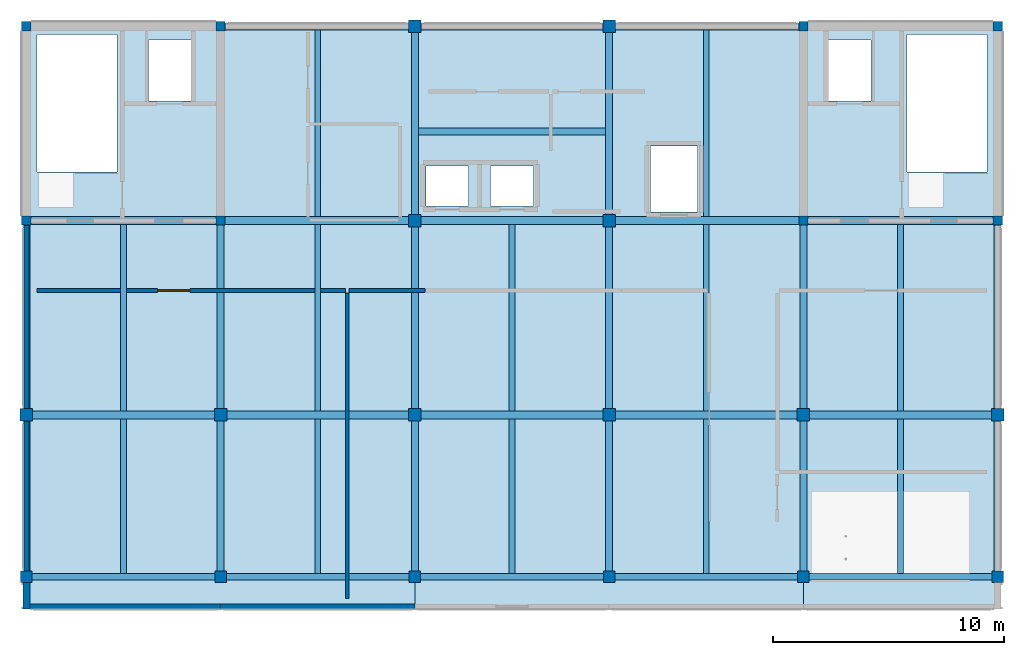
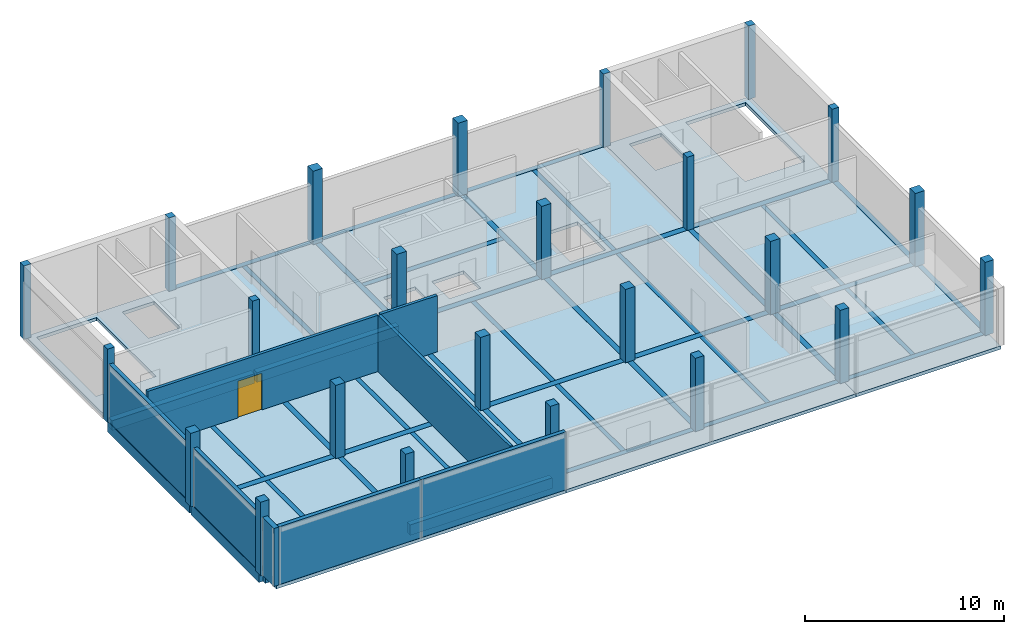
# One storey, part 1 of 11: 45 beams, 24 columns, 8 walls, 3 slabs, 1 door, 1 opening.
"""IFC4 building model written with IfcOpenShell, lengths in metres."""

from ifc_helpers import new_model, si_unit, direction, frame, frame_2d, origin, origin_2d, place, context, subcontext, project, spatial, polyline, rectangle, outline, extrude, material, layer, layer_set, material_profile, profile_set, type_object, element, fill, save


model = new_model("IFC4")

# Units and contexts
model_context = context("Model", 3, precision=1e-05, world=origin(), true_north=direction((0.0, 1.0)))
body_context = subcontext(model_context, "Body", "Model", "MODEL_VIEW")
ifc_project = project(units=[si_unit("LENGTHUNIT", "METRE"), si_unit("AREAUNIT", "SQUARE_METRE"), si_unit("VOLUMEUNIT", "CUBIC_METRE"), si_unit("PLANEANGLEUNIT", "RADIAN"), si_unit("MASSUNIT", "GRAM", prefix="KILO")], contexts=[model_context])

# Site, building, storey
site_placement = place(None, origin())
site = spatial("IfcSite", under=ifc_project, at=site_placement, CompositionType="ELEMENT")
building_placement = place(site_placement, origin())
building = spatial("IfcBuilding", under=site, at=building_placement, Name="Telukmera Botanical Conservatory", CompositionType="ELEMENT")
storey_placement = place(building_placement, frame((0.0, 0.0, 73.5)))
storey = spatial("IfcBuildingStorey", under=building, at=storey_placement, Name="L16", CompositionType="ELEMENT", Elevation=73.5)

# Columns
ifc_material_1 = material(Name="Concrete C40/50", Category="concrete")
ifc_material_profile_1 = material_profile(ifc_material_1, rectangle(XDim=0.550048828125, YDim=0.550048828125, at=origin_2d()), Name="RC 550x550")
ifc_profile_set_1 = profile_set([ifc_material_profile_1], Name="Concrete C40/50")
column_type_1 = type_object("IfcColumnType", Name="Col_C12", PredefinedType="COLUMN", material=ifc_profile_set_1)
for number, where, z_axis, x_axis, name in (
    (1, (58.800048828125, 17.60009765625, 0.0), (0.0, 0.0, 1.0), (1.0, 0.0, 0.0), "Column V4-L16 (58.8,17.6)"),
    (2, (67.199951171875, 17.60009765625, 0.0), (0.0, 0.0, 1.0), (1.0, 0.0, 0.0), "Column V4-L16 (67.2,17.6)"),
    (3, (75.60009765625, 17.60009765625, 0.0), (0.0, 0.0, 1.0), (1.0, 0.0, 0.0), "Column V4-L16 (75.6,17.6)"),
    (4, (75.60009765625, 26.0, 0.0), (0.0, 0.0, 1.0), (1.0, 0.0, 0.0), "Column V4-L16 (75.6,26.0)"),
    (5, (75.60009765625, 34.39990234375, 0.0), (0.0, 0.0, 1.0), (1.0, 0.0, 0.0), "Column V4-L16 (75.6,34.4)"),
    (6, (84.0, 17.60009765625, 0.0), (0.0, 0.0, 1.0), (1.0, 0.0, 0.0), "Column V4-L16 (84.0,17.6)"),
    (7, (84.0, 26.0, 0.0), (0.0, 0.0, 1.0), (1.0, 0.0, 0.0), "Column V4-L16 (84.0,26.0)"),
    (8, (84.0, 34.39990234375, 0.0), (0.0, 0.0, 1.0), (1.0, 0.0, 0.0), "Column V4-L16 (84.0,34.4)"),
    (9, (92.39990234375, 17.60009765625, 0.0), (0.0, 0.0, 1.0), (1.0, 0.0, 0.0), "Column V4-L16 (92.4,17.6)"),
    (10, (100.800048828125, 17.60009765625, 0.0), (0.0, 0.0, 1.0), (1.0, 0.0, 0.0), "Column V4-L16 (100.8,17.6)"),
):
    element("IfcColumn", number, at=place(storey_placement, frame(where, z_axis=z_axis, x_axis=x_axis)), inside=storey, type_object=column_type_1, Name=name, PredefinedType="COLUMN", context=body_context, shape_type="SweptSolid", body=[
        extrude(rectangle(XDim=0.550048828125, YDim=0.550048828125, at=origin_2d()), origin(), (0.0, 0.0, 1.0), 4.5),
    ])
ifc_material_profile_2 = material_profile(ifc_material_1, rectangle(XDim=0.5, YDim=0.5, at=origin_2d()), Name="RC 500x500")
ifc_profile_set_2 = profile_set([ifc_material_profile_2], Name="Concrete C40/50")
column_type_2 = type_object("IfcColumnType", Name="Col_C13", PredefinedType="COLUMN", material=ifc_profile_set_2)
for number, where, z_axis, x_axis, name in (
    (11, (58.800048828125, 10.60009765625, 0.0), (0.0, 0.0, 1.0), (1.0, 0.0, 0.0), "Column V4-L16 (58.8,10.6)"),
    (12, (67.199951171875, 10.60009765625, 0.0), (0.0, 0.0, 1.0), (1.0, 0.0, 0.0), "Column V4-L16 (67.2,10.6)"),
    (13, (75.60009765625, 10.60009765625, 0.0), (0.0, 0.0, 1.0), (1.0, 0.0, 0.0), "Column V4-L16 (75.6,10.6)"),
    (14, (84.0, 10.60009765625, 0.0), (0.0, 0.0, 1.0), (1.0, 0.0, 0.0), "Column V4-L16 (84.0,10.6)"),
    (15, (92.39990234375, 10.60009765625, 0.0), (0.0, 0.0, 1.0), (1.0, 0.0, 0.0), "Column V4-L16 (92.4,10.6)"),
    (16, (100.800048828125, 10.60009765625, 0.0), (0.0, 0.0, 1.0), (1.0, 0.0, 0.0), "Column V4-L16 (100.8,10.6)"),
):
    element("IfcColumn", number, at=place(storey_placement, frame(where, z_axis=z_axis, x_axis=x_axis)), inside=storey, type_object=column_type_2, Name=name, PredefinedType="COLUMN", context=body_context, shape_type="SweptSolid", body=[
        extrude(rectangle(XDim=0.5, YDim=0.5, at=origin_2d()), origin(), (0.0, 0.0, 1.0), 4.5),
    ])
ifc_material_2 = material(Name="Concrete C50/60", Category="concrete")
ifc_material_profile_3 = material_profile(ifc_material_2, rectangle(XDim=0.39990234375, YDim=0.39990234375, at=origin_2d()), Name="RC 400x400")
ifc_profile_set_3 = profile_set([ifc_material_profile_3], Name="Concrete C50/60")
column_type_3 = type_object("IfcColumnType", Name="Col_C14", PredefinedType="COLUMN", material=ifc_profile_set_3)
for number, where, z_axis, x_axis, name in (
    (17, (58.800048828125, 26.0, 0.0), (0.0, 0.0, 1.0), (1.0, 0.0, 0.0), "Column V4-L16 (58.8,26.0)"),
    (18, (58.800048828125, 34.39990234375, 0.0), (0.0, 0.0, 1.0), (1.0, 0.0, 0.0), "Column V4-L16 (58.8,34.4)"),
    (19, (67.199951171875, 26.0, 0.0), (0.0, 0.0, 1.0), (1.0, 0.0, 0.0), "Column V4-L16 (67.2,26.0)"),
    (20, (67.199951171875, 34.39990234375, 0.0), (0.0, 0.0, 1.0), (1.0, 0.0, 0.0), "Column V4-L16 (67.2,34.4)"),
    (21, (92.39990234375, 26.0, 0.0), (0.0, 0.0, 1.0), (1.0, 0.0, 0.0), "Column V4-L16 (92.4,26.0)"),
    (22, (92.39990234375, 34.39990234375, 0.0), (0.0, 0.0, 1.0), (1.0, 0.0, 0.0), "Column V4-L16 (92.4,34.4)"),
    (23, (100.800048828125, 26.0, 0.0), (0.0, 0.0, 1.0), (1.0, 0.0, 0.0), "Column V4-L16 (100.8,26.0)"),
    (24, (100.800048828125, 34.39990234375, 0.0), (0.0, 0.0, 1.0), (1.0, 0.0, 0.0), "Column V4-L16 (100.8,34.4)"),
):
    element("IfcColumn", number, at=place(storey_placement, frame(where, z_axis=z_axis, x_axis=x_axis)), inside=storey, type_object=column_type_3, Name=name, PredefinedType="COLUMN", context=body_context, shape_type="SweptSolid", body=[
        extrude(rectangle(XDim=0.39990234375, YDim=0.39990234375, at=origin_2d()), origin(), (0.0, 0.0, 1.0), 4.5),
    ])

# Beams
ifc_material_profile_4 = material_profile(ifc_material_1, rectangle(XDim=0.300048828125, YDim=0.550048828125, at=origin_2d()), Name="RC 300x550")
ifc_profile_set_4 = profile_set([ifc_material_profile_4], Name="Concrete C40/50")
beam_type_1 = type_object("IfcBeamType", Name="Beam_B10", PredefinedType="BEAM", material=ifc_profile_set_4)
beam_1_placement = place(storey_placement, frame((67.199951171875, 10.679931640625, -0.27490234375), z_axis=(0.0, 1.0, 0.0), x_axis=(-1.0, 0.0, 0.0)))
element("IfcBeam", 25, at=beam_1_placement, inside=storey, type_object=beam_type_1, Name="Tower Transverse Beam L16", PredefinedType="BEAM", context=body_context, shape_type="SweptSolid", body=[
    extrude(rectangle(XDim=0.300048828125, YDim=0.550048828125, at=origin_2d()), origin(), (0.0, 0.0, 1.0), 6.840087890625),
])
beam_2_placement = place(storey_placement, frame((67.199951171875, 17.679931640625, -0.27490234375), z_axis=(0.0, 1.0, 0.0), x_axis=(-1.0, 0.0, 0.0)))
element("IfcBeam", 26, at=beam_2_placement, inside=storey, type_object=beam_type_1, Name="Tower Transverse Beam L16", PredefinedType="BEAM", context=body_context, shape_type="SweptSolid", body=[
    extrude(rectangle(XDim=0.300048828125, YDim=0.550048828125, at=origin_2d()), origin(), (0.0, 0.0, 1.0), 8.239990234375),
])
beam_3_placement = place(storey_placement, frame((75.60009765625, 10.679931640625, -0.27490234375), z_axis=(0.0, 1.0, 0.0), x_axis=(-1.0, 0.0, 0.0)))
element("IfcBeam", 27, at=beam_3_placement, inside=storey, type_object=beam_type_1, Name="Tower Transverse Beam L16", PredefinedType="BEAM", context=body_context, shape_type="SweptSolid", body=[
    extrude(rectangle(XDim=0.300048828125, YDim=0.550048828125, at=origin_2d()), origin(), (0.0, 0.0, 1.0), 6.840087890625),
])
for number, where, z_axis, x_axis, name in (
    (28, (75.60009765625, 17.679931640625, -0.27490234375), (0.0, 1.0, 0.0), (-1.0, 0.0, 0.0), "Tower Transverse Beam L16"),
    (29, (75.60009765625, 26.080078125, -0.27490234375), (0.0, 1.0, 0.0), (-1.0, 0.0, 0.0), "Tower Transverse Beam L16"),
):
    element("IfcBeam", number, at=place(storey_placement, frame(where, z_axis=z_axis, x_axis=x_axis)), inside=storey, type_object=beam_type_1, Name=name, PredefinedType="BEAM", context=body_context, shape_type="SweptSolid", body=[
        extrude(rectangle(XDim=0.300048828125, YDim=0.550048828125, at=origin_2d()), origin(), (0.0, 0.0, 1.0), 8.239990234375),
    ])
beam_4_placement = place(storey_placement, frame((84.0, 10.679931640625, -0.27490234375), z_axis=(0.0, 1.0, 0.0), x_axis=(-1.0, 0.0, 0.0)))
element("IfcBeam", 30, at=beam_4_placement, inside=storey, type_object=beam_type_1, Name="Tower Transverse Beam L16", PredefinedType="BEAM", context=body_context, shape_type="SweptSolid", body=[
    extrude(rectangle(XDim=0.300048828125, YDim=0.550048828125, at=origin_2d()), origin(), (0.0, 0.0, 1.0), 6.840087890625),
])
for number, where, z_axis, x_axis, name in (
    (31, (84.0, 17.679931640625, -0.27490234375), (0.0, 1.0, 0.0), (-1.0, 0.0, 0.0), "Tower Transverse Beam L16"),
    (32, (84.0, 26.080078125, -0.27490234375), (0.0, 1.0, 0.0), (-1.0, 0.0, 0.0), "Tower Transverse Beam L16"),
):
    element("IfcBeam", number, at=place(storey_placement, frame(where, z_axis=z_axis, x_axis=x_axis)), inside=storey, type_object=beam_type_1, Name=name, PredefinedType="BEAM", context=body_context, shape_type="SweptSolid", body=[
        extrude(rectangle(XDim=0.300048828125, YDim=0.550048828125, at=origin_2d()), origin(), (0.0, 0.0, 1.0), 8.239990234375),
    ])
beam_5_placement = place(storey_placement, frame((92.39990234375, 10.679931640625, -0.27490234375), z_axis=(0.0, 1.0, 0.0), x_axis=(-1.0, 0.0, 0.0)))
element("IfcBeam", 33, at=beam_5_placement, inside=storey, type_object=beam_type_1, Name="Tower Transverse Beam L16", PredefinedType="BEAM", context=body_context, shape_type="SweptSolid", body=[
    extrude(rectangle(XDim=0.300048828125, YDim=0.550048828125, at=origin_2d()), origin(), (0.0, 0.0, 1.0), 6.840087890625),
])
beam_6_placement = place(storey_placement, frame((92.39990234375, 17.679931640625, -0.27490234375), z_axis=(0.0, 1.0, 0.0), x_axis=(-1.0, 0.0, 0.0)))
element("IfcBeam", 34, at=beam_6_placement, inside=storey, type_object=beam_type_1, Name="Tower Transverse Beam L16", PredefinedType="BEAM", context=body_context, shape_type="SweptSolid", body=[
    extrude(rectangle(XDim=0.300048828125, YDim=0.550048828125, at=origin_2d()), origin(), (0.0, 0.0, 1.0), 8.239990234375),
])
ifc_material_profile_5 = material_profile(ifc_material_1, rectangle(XDim=0.25, YDim=0.449951171875, at=origin_2d()), Name="RC 250x450")
ifc_profile_set_5 = profile_set([ifc_material_profile_5], Name="Concrete C40/50")
beam_type_2 = type_object("IfcBeamType", Name="Beam_B27", PredefinedType="JOIST", material=ifc_profile_set_5)
beam_7_placement = place(storey_placement, frame((63.0, 10.75, -0.22509765625), z_axis=(0.0, 1.0, 0.0), x_axis=(-1.0, 0.0, 0.0)))
element("IfcBeam", 35, at=beam_7_placement, inside=storey, type_object=beam_type_2, Name="Tower Secondary Floor Joist L16", PredefinedType="JOIST", context=body_context, shape_type="SweptSolid", body=[
    extrude(rectangle(XDim=0.25, YDim=0.449951171875, at=origin_2d()), origin(), (0.0, 0.0, 1.0), 6.675048828125),
])
beam_8_placement = place(storey_placement, frame((63.0, 17.77490234375, -0.22509765625), z_axis=(0.0, 1.0, 0.0), x_axis=(-1.0, 0.0, 0.0)))
element("IfcBeam", 36, at=beam_8_placement, inside=storey, type_object=beam_type_2, Name="Tower Secondary Floor Joist L16", PredefinedType="JOIST", context=body_context, shape_type="SweptSolid", body=[
    extrude(rectangle(XDim=0.25, YDim=0.449951171875, at=origin_2d()), origin(), (0.0, 0.0, 1.0), 8.050048828125),
])
beam_9_placement = place(storey_placement, frame((71.39990234375, 10.75, -0.22509765625), z_axis=(0.0, 1.0, 0.0), x_axis=(-1.0, 0.0, 0.0)))
element("IfcBeam", 37, at=beam_9_placement, inside=storey, type_object=beam_type_2, Name="Tower Secondary Floor Joist L16", PredefinedType="JOIST", context=body_context, shape_type="SweptSolid", body=[
    extrude(rectangle(XDim=0.25, YDim=0.449951171875, at=origin_2d()), origin(), (0.0, 0.0, 1.0), 6.675048828125),
])
beam_10_placement = place(storey_placement, frame((71.39990234375, 17.77490234375, -0.22509765625), z_axis=(0.0, 1.0, 0.0), x_axis=(-1.0, 0.0, 0.0)))
element("IfcBeam", 38, at=beam_10_placement, inside=storey, type_object=beam_type_2, Name="Tower Secondary Floor Joist L16", PredefinedType="JOIST", context=body_context, shape_type="SweptSolid", body=[
    extrude(rectangle(XDim=0.25, YDim=0.449951171875, at=origin_2d()), origin(), (0.0, 0.0, 1.0), 8.050048828125),
])
beam_11_placement = place(storey_placement, frame((71.39990234375, 26.175048828125, -0.22509765625), z_axis=(0.0, 1.0, 0.0), x_axis=(-1.0, 0.0, 0.0)))
element("IfcBeam", 39, at=beam_11_placement, inside=storey, type_object=beam_type_2, Name="Tower Secondary Floor Joist L16", PredefinedType="JOIST", context=body_context, shape_type="SweptSolid", body=[
    extrude(rectangle(XDim=0.25, YDim=0.449951171875, at=origin_2d()), origin(), (0.0, 0.0, 1.0), 8.074951171875),
])
beam_12_placement = place(storey_placement, frame((79.800048828125, 10.75, -0.22509765625), z_axis=(0.0, 1.0, 0.0), x_axis=(-1.0, 0.0, 0.0)))
element("IfcBeam", 40, at=beam_12_placement, inside=storey, type_object=beam_type_2, Name="Tower Secondary Floor Joist L16", PredefinedType="JOIST", context=body_context, shape_type="SweptSolid", body=[
    extrude(rectangle(XDim=0.25, YDim=0.449951171875, at=origin_2d()), origin(), (0.0, 0.0, 1.0), 6.675048828125),
])
beam_13_placement = place(storey_placement, frame((79.800048828125, 17.77490234375, -0.22509765625), z_axis=(0.0, 1.0, 0.0), x_axis=(-1.0, 0.0, 0.0)))
element("IfcBeam", 41, at=beam_13_placement, inside=storey, type_object=beam_type_2, Name="Tower Secondary Floor Joist L16", PredefinedType="JOIST", context=body_context, shape_type="SweptSolid", body=[
    extrude(rectangle(XDim=0.25, YDim=0.449951171875, at=origin_2d()), origin(), (0.0, 0.0, 1.0), 8.050048828125),
])
beam_14_placement = place(storey_placement, frame((88.199951171875, 10.75, -0.22509765625), z_axis=(0.0, 1.0, 0.0), x_axis=(-1.0, 0.0, 0.0)))
element("IfcBeam", 42, at=beam_14_placement, inside=storey, type_object=beam_type_2, Name="Tower Secondary Floor Joist L16", PredefinedType="JOIST", context=body_context, shape_type="SweptSolid", body=[
    extrude(rectangle(XDim=0.25, YDim=0.449951171875, at=origin_2d()), origin(), (0.0, 0.0, 1.0), 6.675048828125),
])
beam_15_placement = place(storey_placement, frame((88.199951171875, 17.77490234375, -0.22509765625), z_axis=(0.0, 1.0, 0.0), x_axis=(-1.0, 0.0, 0.0)))
element("IfcBeam", 43, at=beam_15_placement, inside=storey, type_object=beam_type_2, Name="Tower Secondary Floor Joist L16", PredefinedType="JOIST", context=body_context, shape_type="SweptSolid", body=[
    extrude(rectangle(XDim=0.25, YDim=0.449951171875, at=origin_2d()), origin(), (0.0, 0.0, 1.0), 8.050048828125),
])
beam_16_placement = place(storey_placement, frame((88.199951171875, 26.175048828125, -0.22509765625), z_axis=(0.0, 1.0, 0.0), x_axis=(-1.0, 0.0, 0.0)))
element("IfcBeam", 44, at=beam_16_placement, inside=storey, type_object=beam_type_2, Name="Tower Secondary Floor Joist L16", PredefinedType="JOIST", context=body_context, shape_type="SweptSolid", body=[
    extrude(rectangle(XDim=0.25, YDim=0.449951171875, at=origin_2d()), origin(), (0.0, 0.0, 1.0), 8.074951171875),
])
beam_17_placement = place(storey_placement, frame((96.60009765625, 10.75, -0.22509765625), z_axis=(0.0, 1.0, 0.0), x_axis=(-1.0, 0.0, 0.0)))
element("IfcBeam", 45, at=beam_17_placement, inside=storey, type_object=beam_type_2, Name="Tower Secondary Floor Joist L16", PredefinedType="JOIST", context=body_context, shape_type="SweptSolid", body=[
    extrude(rectangle(XDim=0.25, YDim=0.449951171875, at=origin_2d()), origin(), (0.0, 0.0, 1.0), 6.675048828125),
])
beam_18_placement = place(storey_placement, frame((96.60009765625, 17.77490234375, -0.22509765625), z_axis=(0.0, 1.0, 0.0), x_axis=(-1.0, 0.0, 0.0)))
element("IfcBeam", 46, at=beam_18_placement, inside=storey, type_object=beam_type_2, Name="Tower Secondary Floor Joist L16", PredefinedType="JOIST", context=body_context, shape_type="SweptSolid", body=[
    extrude(rectangle(XDim=0.25, YDim=0.449951171875, at=origin_2d()), origin(), (0.0, 0.0, 1.0), 8.050048828125),
])
ifc_material_profile_6 = material_profile(ifc_material_1, rectangle(XDim=0.35009765625, YDim=0.60009765625, at=origin_2d()), Name="RC 350x600")
ifc_profile_set_6 = profile_set([ifc_material_profile_6], Name="Concrete C40/50")
beam_type_3 = type_object("IfcBeamType", Name="Beam_B9", PredefinedType="BEAM", material=ifc_profile_set_6)
beam_19_placement = place(storey_placement, frame((58.8798828125, 17.60009765625, -0.300048828125), z_axis=(1.0, 0.0, 0.0), x_axis=(0.0, 1.0, 0.0)))
element("IfcBeam", 47, at=beam_19_placement, inside=storey, type_object=beam_type_3, Name="Tower Grid Beam L16", PredefinedType="BEAM", context=body_context, shape_type="SweptSolid", body=[
    extrude(rectangle(XDim=0.35009765625, YDim=0.60009765625, at=origin_2d()), origin(), (0.0, 0.0, 1.0), 8.240234375),
])
for number, where, z_axis, x_axis, name in (
    (48, (67.280029296875, 17.60009765625, -0.300048828125), (1.0, 0.0, 0.0), (0.0, 1.0, 0.0), "Tower Grid Beam L16"),
    (49, (75.679931640625, 17.60009765625, -0.300048828125), (1.0, 0.0, 0.0), (0.0, 1.0, 0.0), "Tower Grid Beam L16"),
    (50, (84.080078125, 17.60009765625, -0.300048828125), (1.0, 0.0, 0.0), (0.0, 1.0, 0.0), "Tower Grid Beam L16"),
    (51, (92.47998046875, 17.60009765625, -0.300048828125), (1.0, 0.0, 0.0), (0.0, 1.0, 0.0), "Tower Grid Beam L16"),
):
    element("IfcBeam", number, at=place(storey_placement, frame(where, z_axis=z_axis, x_axis=x_axis)), inside=storey, type_object=beam_type_3, Name=name, PredefinedType="BEAM", context=body_context, shape_type="SweptSolid", body=[
        extrude(rectangle(XDim=0.35009765625, YDim=0.60009765625, at=origin_2d()), origin(), (0.0, 0.0, 1.0), 8.239990234375),
    ])
beam_20_placement = place(storey_placement, frame((58.8798828125, 26.0, -0.300048828125), z_axis=(1.0, 0.0, 0.0), x_axis=(0.0, 1.0, 0.0)))
element("IfcBeam", 52, at=beam_20_placement, inside=storey, type_object=beam_type_3, Name="Tower Grid Beam L16", PredefinedType="BEAM", context=body_context, shape_type="SweptSolid", body=[
    extrude(rectangle(XDim=0.35009765625, YDim=0.60009765625, at=origin_2d()), origin(), (0.0, 0.0, 1.0), 8.240234375),
])
for number, where, z_axis, x_axis, name in (
    (53, (67.280029296875, 26.0, -0.300048828125), (1.0, 0.0, 0.0), (0.0, 1.0, 0.0), "Tower Grid Beam L16"),
    (54, (75.679931640625, 26.0, -0.300048828125), (1.0, 0.0, 0.0), (0.0, 1.0, 0.0), "Tower Grid Beam L16"),
    (55, (84.080078125, 26.0, -0.300048828125), (1.0, 0.0, 0.0), (0.0, 1.0, 0.0), "Tower Grid Beam L16"),
    (56, (92.47998046875, 26.0, -0.300048828125), (1.0, 0.0, 0.0), (0.0, 1.0, 0.0), "Tower Grid Beam L16"),
):
    element("IfcBeam", number, at=place(storey_placement, frame(where, z_axis=z_axis, x_axis=x_axis)), inside=storey, type_object=beam_type_3, Name=name, PredefinedType="BEAM", context=body_context, shape_type="SweptSolid", body=[
        extrude(rectangle(XDim=0.35009765625, YDim=0.60009765625, at=origin_2d()), origin(), (0.0, 0.0, 1.0), 8.239990234375),
    ])
ifc_material_3 = material(Name="Precast concrete C40/50", Category="concrete")
ifc_material_profile_7 = material_profile(ifc_material_3, rectangle(XDim=0.300048828125, YDim=0.39990234375, at=origin_2d()), Name="PC 300x400")
ifc_profile_set_7 = profile_set([ifc_material_profile_7], Name="Precast concrete C40/50")
beam_type_4 = type_object("IfcBeamType", Name="Beam_LN1", PredefinedType="LINTEL", material=ifc_profile_set_7)
beam_21_placement = place(storey_placement, frame((75.75, 29.85009765625, -0.199951171875), z_axis=(1.0, 0.0, 0.0), x_axis=(0.0, 1.0, 0.0)))
element("IfcBeam", 57, at=beam_21_placement, inside=storey, type_object=beam_type_4, Name="Tower Lift Bank Header Lintel L16", PredefinedType="LINTEL", context=body_context, shape_type="SweptSolid", body=[
    extrude(rectangle(XDim=0.300048828125, YDim=0.39990234375, at=origin_2d()), origin(), (0.0, 0.0, 1.0), 8.10009765625),
])
ifc_material_profile_8 = material_profile(ifc_material_3, rectangle(XDim=0.300048828125, YDim=0.64990234375, at=origin_2d()), Name="PC 300x650")
ifc_profile_set_8 = profile_set([ifc_material_profile_8], Name="Precast concrete C40/50")
beam_type_5 = type_object("IfcBeamType", Name="Beam_SP4", PredefinedType="SPANDREL", material=ifc_profile_set_8)
beam_22_placement = place(storey_placement, frame((58.8798828125, 10.60009765625, -0.324951171875), z_axis=(1.0, 0.0, 0.0), x_axis=(0.0, 1.0, 0.0)))
element("IfcBeam", 58, at=beam_22_placement, inside=storey, type_object=beam_type_5, Name="Tower Grid Beam L16", PredefinedType="SPANDREL", context=body_context, shape_type="SweptSolid", body=[
    extrude(rectangle(XDim=0.300048828125, YDim=0.64990234375, at=origin_2d()), origin(), (0.0, 0.0, 1.0), 8.240234375),
])
for number, where, z_axis, x_axis, name in (
    (59, (67.280029296875, 10.60009765625, -0.324951171875), (1.0, 0.0, 0.0), (0.0, 1.0, 0.0), "Tower Grid Beam L16"),
    (60, (75.679931640625, 10.60009765625, -0.324951171875), (1.0, 0.0, 0.0), (0.0, 1.0, 0.0), "Tower Grid Beam L16"),
    (61, (84.080078125, 10.60009765625, -0.324951171875), (1.0, 0.0, 0.0), (0.0, 1.0, 0.0), "Tower Grid Beam L16"),
    (62, (92.47998046875, 10.60009765625, -0.324951171875), (1.0, 0.0, 0.0), (0.0, 1.0, 0.0), "Tower Grid Beam L16"),
    (63, (67.280029296875, 34.39990234375, -0.324951171875), (1.0, 0.0, 0.0), (0.0, 1.0, 0.0), "Tower Grid Beam L16"),
    (64, (75.679931640625, 34.39990234375, -0.324951171875), (1.0, 0.0, 0.0), (0.0, 1.0, 0.0), "Tower Grid Beam L16"),
    (65, (84.080078125, 34.39990234375, -0.324951171875), (1.0, 0.0, 0.0), (0.0, 1.0, 0.0), "Tower Grid Beam L16"),
):
    element("IfcBeam", number, at=place(storey_placement, frame(where, z_axis=z_axis, x_axis=x_axis)), inside=storey, type_object=beam_type_5, Name=name, PredefinedType="SPANDREL", context=body_context, shape_type="SweptSolid", body=[
        extrude(rectangle(XDim=0.300048828125, YDim=0.64990234375, at=origin_2d()), origin(), (0.0, 0.0, 1.0), 8.239990234375),
    ])
beam_23_placement = place(storey_placement, frame((58.800048828125, 10.679931640625, -0.324951171875), z_axis=(0.0, 1.0, 0.0), x_axis=(-1.0, 0.0, 0.0)))
element("IfcBeam", 66, at=beam_23_placement, inside=storey, type_object=beam_type_5, Name="Tower Transverse Beam L16", PredefinedType="SPANDREL", context=body_context, shape_type="SweptSolid", body=[
    extrude(rectangle(XDim=0.300048828125, YDim=0.64990234375, at=origin_2d()), origin(), (0.0, 0.0, 1.0), 6.840087890625),
])
beam_24_placement = place(storey_placement, frame((58.800048828125, 17.679931640625, -0.324951171875), z_axis=(0.0, 1.0, 0.0), x_axis=(-1.0, 0.0, 0.0)))
element("IfcBeam", 67, at=beam_24_placement, inside=storey, type_object=beam_type_5, Name="Tower Transverse Beam L16", PredefinedType="SPANDREL", context=body_context, shape_type="SweptSolid", body=[
    extrude(rectangle(XDim=0.300048828125, YDim=0.64990234375, at=origin_2d()), origin(), (0.0, 0.0, 1.0), 8.239990234375),
])
beam_25_placement = place(storey_placement, frame((100.800048828125, 10.679931640625, -0.324951171875), z_axis=(0.0, 1.0, 0.0), x_axis=(-1.0, 0.0, 0.0)))
element("IfcBeam", 68, at=beam_25_placement, inside=storey, type_object=beam_type_5, Name="Tower Transverse Beam L16", PredefinedType="SPANDREL", context=body_context, shape_type="SweptSolid", body=[
    extrude(rectangle(XDim=0.300048828125, YDim=0.64990234375, at=origin_2d()), origin(), (0.0, 0.0, 1.0), 6.840087890625),
])
beam_26_placement = place(storey_placement, frame((100.800048828125, 17.679931640625, -0.324951171875), z_axis=(0.0, 1.0, 0.0), x_axis=(-1.0, 0.0, 0.0)))
element("IfcBeam", 69, at=beam_26_placement, inside=storey, type_object=beam_type_5, Name="Tower Transverse Beam L16", PredefinedType="SPANDREL", context=body_context, shape_type="SweptSolid", body=[
    extrude(rectangle(XDim=0.300048828125, YDim=0.64990234375, at=origin_2d()), origin(), (0.0, 0.0, 1.0), 8.239990234375),
])

# Slabs
ifc_layer_1 = layer(ifc_material_1, 0.199951171875)
ifc_layer_set_1 = layer_set([ifc_layer_1], Name="Concrete C40/50")
slab_type = type_object("IfcSlabType", Name="Slab_FS20", PredefinedType="FLOOR", material=ifc_layer_set_1)
slab_1_placement = place(storey_placement, frame((0.0, 0.0, -0.199951171875)))
element("IfcSlab", 70, at=slab_1_placement, inside=storey, type_object=slab_type, Name="Tower Floor Slab L16 (WEST)", PredefinedType="FLOOR", context=body_context, shape_type="SweptSolid", body=[
    extrude(outline(polyline([(58.800048828125, 9.199951171875), (75.60009765625, 9.199951171875), (75.60009765625, 34.39990234375), (58.800048828125, 34.39990234375), (58.800048828125, 9.199951171875)]), holes=[polyline([(62.72998046875, 28.093017578125), (62.72998046875, 34.050048828125), (59.25, 34.050048828125), (59.25, 28.093017578125), (62.72998046875, 28.093017578125)]), polyline([(64.080078125, 31.179931640625), (65.919921875, 31.179931640625), (65.919921875, 33.820068359375), (64.080078125, 33.820068359375), (64.080078125, 31.179931640625)])]), origin(), (0.0, 0.0, 1.0), 0.199951171875),
])
slab_2_placement = place(storey_placement, frame((0.0, 0.0, -0.199951171875)))
element("IfcSlab", 71, at=slab_2_placement, inside=storey, type_object=slab_type, Name="Tower Floor Slab L16 (CENT)", PredefinedType="FLOOR", context=body_context, shape_type="SweptSolid", body=[
    extrude(outline(polyline([(75.60009765625, 9.199951171875), (92.39990234375, 9.199951171875), (92.39990234375, 34.39990234375), (75.60009765625, 34.39990234375), (75.60009765625, 9.199951171875)]), holes=[polyline([(85.780029296875, 26.3798828125), (87.820068359375, 26.3798828125), (87.820068359375, 29.219970703125), (85.780029296875, 29.219970703125), (85.780029296875, 26.3798828125)]), polyline([(76.080078125, 26.6298828125), (77.919921875, 26.6298828125), (77.919921875, 28.3701171875), (76.080078125, 28.3701171875), (76.080078125, 26.6298828125)]), polyline([(78.8798828125, 26.6298828125), (80.719970703125, 26.6298828125), (80.719970703125, 28.3701171875), (78.8798828125, 28.3701171875), (78.8798828125, 26.6298828125)])]), origin(), (0.0, 0.0, 1.0), 0.199951171875),
])
slab_3_placement = place(storey_placement, frame((0.0, 0.0, -0.199951171875)))
element("IfcSlab", 72, at=slab_3_placement, inside=storey, type_object=slab_type, Name="Tower Floor Slab L16 (EAST)", PredefinedType="FLOOR", context=body_context, shape_type="SweptSolid", body=[
    extrude(outline(polyline([(92.39990234375, 9.199951171875), (100.800048828125, 9.199951171875), (100.800048828125, 34.39990234375), (92.39990234375, 34.39990234375), (92.39990234375, 9.199951171875)]), holes=[polyline([(100.35009765625, 28.093017578125), (100.35009765625, 34.050048828125), (96.8701171875, 34.050048828125), (96.8701171875, 28.093017578125), (100.35009765625, 28.093017578125)]), polyline([(93.47998046875, 31.179931640625), (95.320068359375, 31.179931640625), (95.320068359375, 33.820068359375), (93.47998046875, 33.820068359375), (93.47998046875, 31.179931640625)])]), origin(), (0.0, 0.0, 1.0), 0.199951171875),
])

# Walls
ifc_material_4 = material(Name="Terracotta-faced precast concrete C40/50", Category="masonry")
ifc_layer_2 = layer(ifc_material_4, 0.300048828125)
ifc_layer_set_2 = layer_set([ifc_layer_2], Name="Terracotta-faced precast concrete C40/50")
wall_type_1 = type_object("IfcWallType", Name="Exterior Polychrome Terracotta Precast Wall 300", PredefinedType="SOLIDWALL", material=ifc_layer_set_2)
wall_1_placement = place(storey_placement, frame((58.800048828125, 9.199951171875, 0.0), z_axis=(0.0, 0.0, 1.0), x_axis=(0.0, 1.0, 0.0)))
element("IfcWall", 73, at=wall_1_placement, inside=storey, type_object=wall_type_1, Name="Exterior Precast Wall EW02 V4:L16:SWC", PredefinedType="SOLIDWALL", context=body_context, shape_type="SweptSolid", body=[
    extrude(rectangle(XDim=1.14794921875, YDim=0.300048828125, at=frame_2d((0.573974609375, 0.0))), origin(), (0.0, 0.0, 1.0), 3.550048828125),
])
ifc_layer_3 = layer(ifc_material_4, 0.219970703125)
ifc_layer_set_3 = layer_set([ifc_layer_3], Name="Terracotta-faced precast concrete C40/50")
wall_type_2 = type_object("IfcWallType", Name="Exterior Terracotta Rainscreen Cladding Wall 220", PredefinedType="USERDEFINED", material=ifc_layer_set_3)
wall_2_placement = place(storey_placement, frame((58.951904296875, 9.320068359375, 0.0), z_axis=(0.0, 0.0, 1.0), x_axis=(1.0, 0.0, 0.0)))
element("IfcWall", 74, at=wall_2_placement, inside=storey, type_object=wall_type_2, Name="Exterior Precast Wall EW07 V4:L16:S1", ObjectType="CLADDING", PredefinedType="USERDEFINED", context=body_context, shape_type="SweptSolid", body=[
    extrude(rectangle(XDim=8.24609375, YDim=0.219970703125, at=frame_2d((4.123046875, 0.0))), origin(), (0.0, 0.0, 1.0), 3.550048828125),
])
wall_3_placement = place(storey_placement, frame((67.201904296875, 9.320068359375, 0.0), z_axis=(0.0, 0.0, 1.0), x_axis=(1.0, 0.0, 0.0)))
element("IfcWall", 75, at=wall_3_placement, inside=storey, type_object=wall_type_2, Name="Exterior Precast Wall EW07 V4:L16:S2", ObjectType="CLADDING", PredefinedType="USERDEFINED", context=body_context, shape_type="SweptSolid", body=[
    extrude(rectangle(XDim=8.39599609375, YDim=0.219970703125, at=frame_2d((4.197998046875, 0.0))), origin(), (0.0, 0.0, 1.0), 3.550048828125),
])
wall_4_placement = place(storey_placement, frame((58.800048828125, 10.85205078125, 0.0), z_axis=(0.0, 0.0, 1.0), x_axis=(0.0, 1.0, 0.0)))
element("IfcWall", 76, at=wall_4_placement, inside=storey, type_object=wall_type_2, Name="Exterior Precast Wall EW07 V4:L16:W1", ObjectType="CLADDING", PredefinedType="USERDEFINED", context=body_context, shape_type="SweptSolid", body=[
    extrude(rectangle(XDim=6.470947265625, YDim=0.219970703125, at=frame_2d((3.2353515625, 0.0))), origin(), (0.0, 0.0, 1.0), 3.550048828125),
])
wall_5_placement = place(storey_placement, frame((58.800048828125, 17.876953125, 0.0), z_axis=(0.0, 0.0, 1.0), x_axis=(0.0, 1.0, 0.0)))
element("IfcWall", 77, at=wall_5_placement, inside=storey, type_object=wall_type_2, Name="Exterior Precast Wall EW07 V4:L16:W2", ObjectType="CLADDING", PredefinedType="USERDEFINED", context=body_context, shape_type="SweptSolid", body=[
    extrude(rectangle(XDim=7.921142578125, YDim=0.219970703125, at=frame_2d((3.96044921875, 0.0))), origin(), (0.0, 0.0, 1.0), 3.550048828125),
])

# Wall, opening, door
ifc_material_5 = material(Name="Blockwork masonry", Category="masonry")
ifc_layer_4 = layer(ifc_material_5, 0.169921875)
ifc_layer_set_4 = layer_set([ifc_layer_4], Name="Blockwork masonry")
wall_type_3 = type_object("IfcWallType", Name="WT-PLANT-170", PredefinedType="PARTITIONING", material=ifc_layer_set_4)
wall_6_placement = place(storey_placement, frame((59.25, 22.97509765625, 0.0), z_axis=(0.0, 0.0, 1.0), x_axis=(1.0, 0.0, 0.0)))
wall_6 = element("IfcWall", 78, at=wall_6_placement, inside=storey, type_object=wall_type_3, Name="L16 Interior Partition 11", PredefinedType="PARTITIONING", context=body_context, shape_type="SweptSolid", body=[
    extrude(rectangle(XDim=13.35009765625, YDim=0.169921875, at=frame_2d((6.675048828125, 0.0))), origin(), (0.0, 0.0, 1.0), 3.449951171875),
])
opening_placement = place(wall_6_placement, frame((5.2216796875, 0.0, 0.0)))
opening = element("IfcOpeningElement", 79, at=opening_placement, cuts=wall_6, Name="Opening ID05", PredefinedType="OPENING", context=body_context, shape_type="SweptSolid", body=[
    extrude(rectangle(XDim=1.39990234375, YDim=2.25, at=frame_2d((0.699951171875, 1.125))), frame((0.0, 0.094970703125, 0.0), z_axis=(0.0, -1.0, 0.0), x_axis=(1.0, 0.0, 0.0)), (0.0, 0.0, 1.0), 0.18994140625),
])
ifc_material_6 = material(Name="Louvred steel plant double door", Category="steel")
door_type = type_object("IfcDoorType", Name="DT-PLANT-140", OperationType="NOTDEFINED", PredefinedType="DOOR", material=ifc_material_6)
door_placement = place(opening_placement, frame((1.39990234375, 0.0, 0.0), z_axis=(0.0, 0.0, 1.0), x_axis=(-1.0, 0.0, 0.0)))
door = element("IfcDoor", 80, at=door_placement, inside=storey, type_object=door_type, Name="L16 Mechanical Chiller Plant Door", OperationType="SINGLE_SWING_LEFT", OverallHeight=2.25, OverallWidth=1.39990234375, PredefinedType="DOOR", context=body_context, shape_type="SweptSolid", body=[
    extrude(rectangle(XDim=1.39990234375, YDim=2.25, at=frame_2d((0.699951171875, 1.125))), frame((0.0, 0.02490234375, 0.0), z_axis=(0.0, -1.0, 0.0), x_axis=(1.0, 0.0, 0.0)), (0.0, 0.0, 1.0), 0.050048828125),
])
fill(opening, door)

# Walls
wall_7_placement = place(storey_placement, frame((72.75, 22.97509765625, 0.0), z_axis=(0.0, 0.0, 1.0), x_axis=(1.0, 0.0, 0.0)))
element("IfcWall", 81, at=wall_7_placement, inside=storey, type_object=wall_type_3, Name="L16 Interior Partition 12", PredefinedType="PARTITIONING", context=body_context, shape_type="SweptSolid", body=[
    extrude(rectangle(XDim=3.2900390625, YDim=0.169921875, at=frame_2d((1.64501953125, 0.0))), origin(), (0.0, 0.0, 1.0), 3.449951171875),
])
wall_8_placement = place(storey_placement, frame((72.675048828125, 9.64990234375, 0.0), z_axis=(0.0, 0.0, 1.0), x_axis=(0.0, 1.0, 0.0)))
element("IfcWall", 82, at=wall_8_placement, inside=storey, type_object=wall_type_3, Name="L16 Interior Partition 17", PredefinedType="PARTITIONING", context=body_context, shape_type="SweptSolid", body=[
    extrude(rectangle(XDim=13.22998046875, YDim=0.169921875, at=frame_2d((6.614990234375, 0.0))), origin(), (0.0, 0.0, 1.0), 3.449951171875),
])

save(model, "model.ifc")
